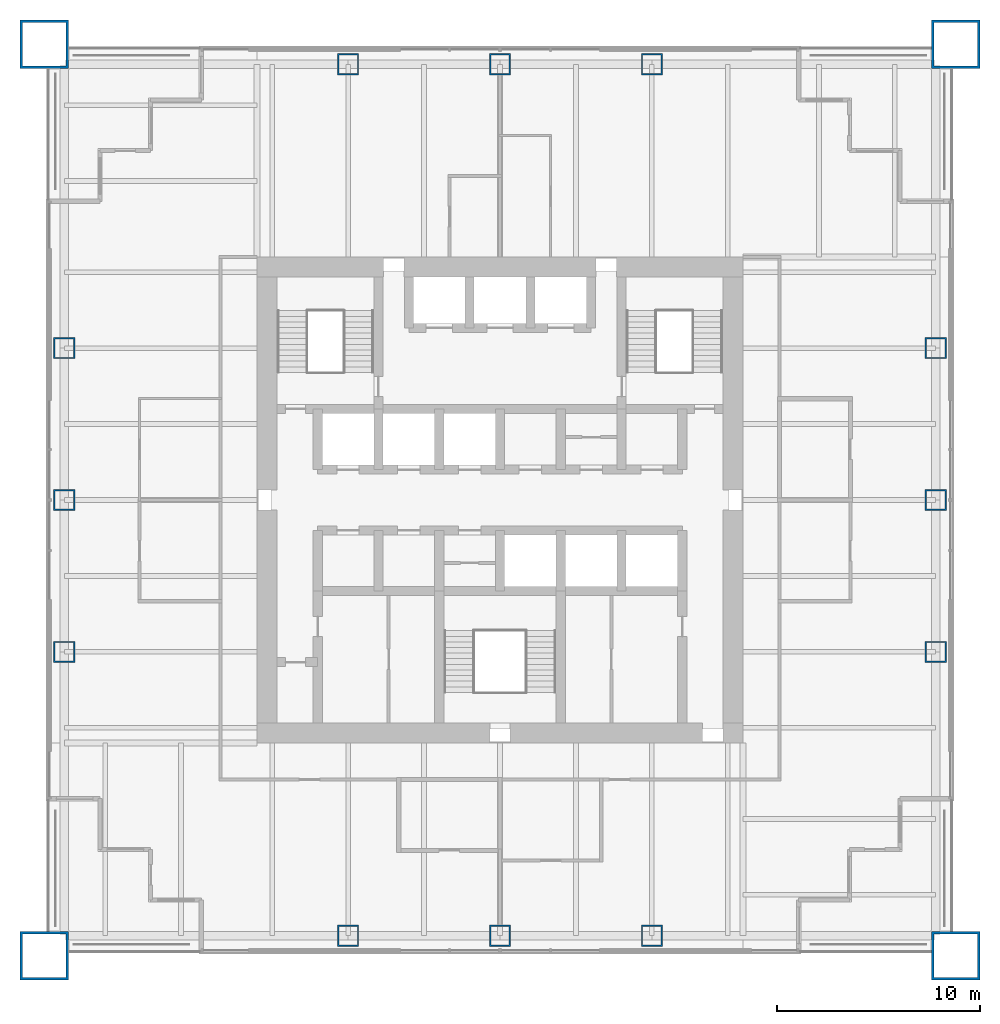
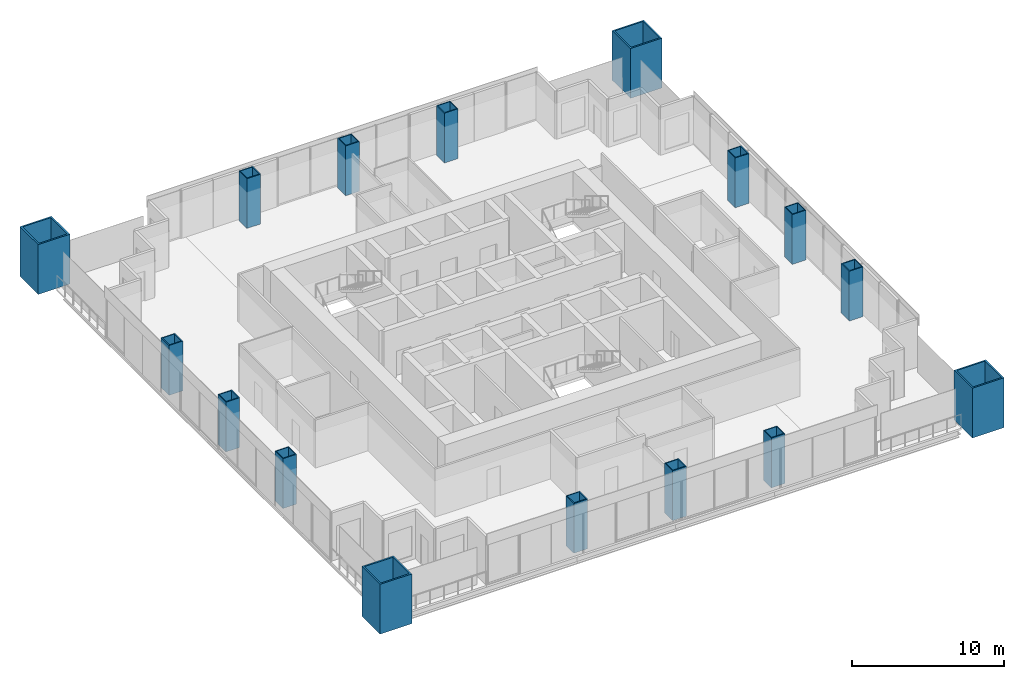
# One storey, part 1 of 13: 16 columns.
"""IFC4 building model written with IfcOpenShell, lengths in metres."""

from ifc_helpers import new_model, si_unit, direction, frame, origin, origin_2d, place, context, subcontext, project, spatial, hollow_rectangle, extrude, material, material_profile, profile_set, type_object, element, save


model = new_model("IFC4")

# Units and contexts
model_context = context("Model", 3, precision=1e-05, world=origin(), true_north=direction((0.0, 1.0)))
body_context = subcontext(model_context, "Body", "Model", "MODEL_VIEW")
ifc_project = project(units=[si_unit("LENGTHUNIT", "METRE"), si_unit("AREAUNIT", "SQUARE_METRE"), si_unit("VOLUMEUNIT", "CUBIC_METRE"), si_unit("PLANEANGLEUNIT", "RADIAN"), si_unit("MASSUNIT", "GRAM", prefix="KILO")], contexts=[model_context])

# Site, building, storey
site_placement = place(None, origin())
site = spatial("IfcSite", under=ifc_project, at=site_placement, CompositionType="ELEMENT")
building_placement = place(site_placement, origin())
building = spatial("IfcBuilding", under=site, at=building_placement, Name="Tarangal Relay Tower", CompositionType="ELEMENT")
storey_placement = place(building_placement, frame((0.0, 0.0, 225.89990234375)))
storey = spatial("IfcBuildingStorey", under=building, at=storey_placement, Name="L48", CompositionType="ELEMENT", Elevation=225.89990234375)

# Columns
ifc_material_1 = material(Name="Steel ASTM A572 Grade 42", Category="steel")
ifc_material_profile_1 = material_profile(ifc_material_1, hollow_rectangle(XDim=2.39990234375, YDim=2.39990234375, WallThickness=0.1201171875, at=origin_2d()), Name="BOX2400X2400X120")
ifc_profile_set_1 = profile_set([ifc_material_profile_1], Name="Steel ASTM A572 Grade 42")
column_type_1 = type_object("IfcColumnType", Name="Mega column BOX2400X2400X120", PredefinedType="COLUMN", material=ifc_profile_set_1)
for number, where, z_axis, x_axis, name in (
    (1, (22.5, 22.5, 0.0), (0.0, 0.0, 1.0), (1.0, 0.0, 0.0), "Mega column MC3 NE L48"),
    (2, (22.5, -22.5, 0.0), (0.0, 0.0, 1.0), (1.0, 0.0, 0.0), "Mega column MC3 SE L48"),
    (3, (-22.5, -22.5, 0.0), (0.0, 0.0, 1.0), (1.0, 0.0, 0.0), "Mega column MC3 SW L48"),
    (4, (-22.5, 22.5, 0.0), (0.0, 0.0, 1.0), (1.0, 0.0, 0.0), "Mega column MC3 NW L48"),
):
    element("IfcColumn", number, at=place(storey_placement, frame(where, z_axis=z_axis, x_axis=x_axis)), inside=storey, type_object=column_type_1, Name=name, PredefinedType="COLUMN", context=body_context, shape_type="SweptSolid", body=[
        extrude(hollow_rectangle(XDim=2.39990234375, YDim=2.39990234375, WallThickness=0.1201171875, at=origin_2d()), origin(), (0.0, 0.0, 1.0), 4.0),
    ])
ifc_material_2 = material(Name="Steel ASTM A572 Grade 50", Category="steel")
ifc_material_profile_2 = material_profile(ifc_material_2, hollow_rectangle(XDim=1.050048828125, YDim=1.050048828125, WallThickness=0.070068359375, at=origin_2d()), Name="BOX1050X1050X70")
ifc_profile_set_2 = profile_set([ifc_material_profile_2], Name="Steel ASTM A572 Grade 50")
column_type_2 = type_object("IfcColumnType", Name="Perimeter column BOX1050X1050X70", PredefinedType="COLUMN", material=ifc_profile_set_2)
for number, where, z_axis, x_axis, name in (
    (5, (-7.5, 21.514892578125, 0.0), (0.0, 0.0, 1.0), (1.0, 0.0, 0.0), "Perimeter column PC4 N L48"),
    (6, (0.0, 21.514892578125, 0.0), (0.0, 0.0, 1.0), (1.0, 0.0, 0.0), "Perimeter column PC4 N L48"),
    (7, (7.5, 21.514892578125, 0.0), (0.0, 0.0, 1.0), (1.0, 0.0, 0.0), "Perimeter column PC4 N L48"),
    (8, (21.514892578125, 7.5, 0.0), (0.0, 0.0, 1.0), (1.0, 0.0, 0.0), "Perimeter column PC4 E L48"),
    (9, (21.514892578125, 0.0, 0.0), (0.0, 0.0, 1.0), (1.0, 0.0, 0.0), "Perimeter column PC4 E L48"),
    (10, (21.514892578125, -7.5, 0.0), (0.0, 0.0, 1.0), (1.0, 0.0, 0.0), "Perimeter column PC4 E L48"),
    (11, (7.5, -21.514892578125, 0.0), (0.0, 0.0, 1.0), (1.0, 0.0, 0.0), "Perimeter column PC4 S L48"),
    (12, (0.0, -21.514892578125, 0.0), (0.0, 0.0, 1.0), (1.0, 0.0, 0.0), "Perimeter column PC4 S L48"),
    (13, (-7.5, -21.514892578125, 0.0), (0.0, 0.0, 1.0), (1.0, 0.0, 0.0), "Perimeter column PC4 S L48"),
    (14, (-21.514892578125, -7.5, 0.0), (0.0, 0.0, 1.0), (1.0, 0.0, 0.0), "Perimeter column PC4 W L48"),
    (15, (-21.514892578125, 0.0, 0.0), (0.0, 0.0, 1.0), (1.0, 0.0, 0.0), "Perimeter column PC4 W L48"),
    (16, (-21.514892578125, 7.5, 0.0), (0.0, 0.0, 1.0), (1.0, 0.0, 0.0), "Perimeter column PC4 W L48"),
):
    element("IfcColumn", number, at=place(storey_placement, frame(where, z_axis=z_axis, x_axis=x_axis)), inside=storey, type_object=column_type_2, Name=name, PredefinedType="COLUMN", context=body_context, shape_type="SweptSolid", body=[
        extrude(hollow_rectangle(XDim=1.050048828125, YDim=1.050048828125, WallThickness=0.070068359375, at=origin_2d()), origin(), (0.0, 0.0, 1.0), 4.0),
    ])

save(model, "model.ifc")
